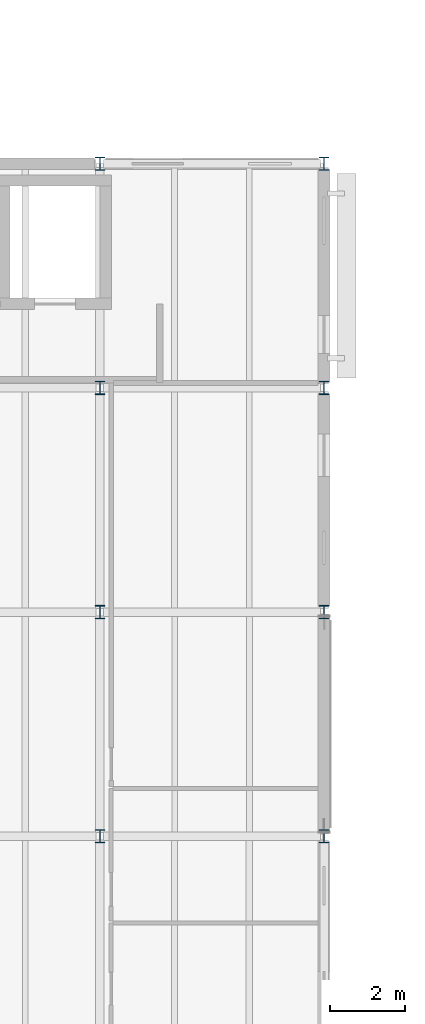
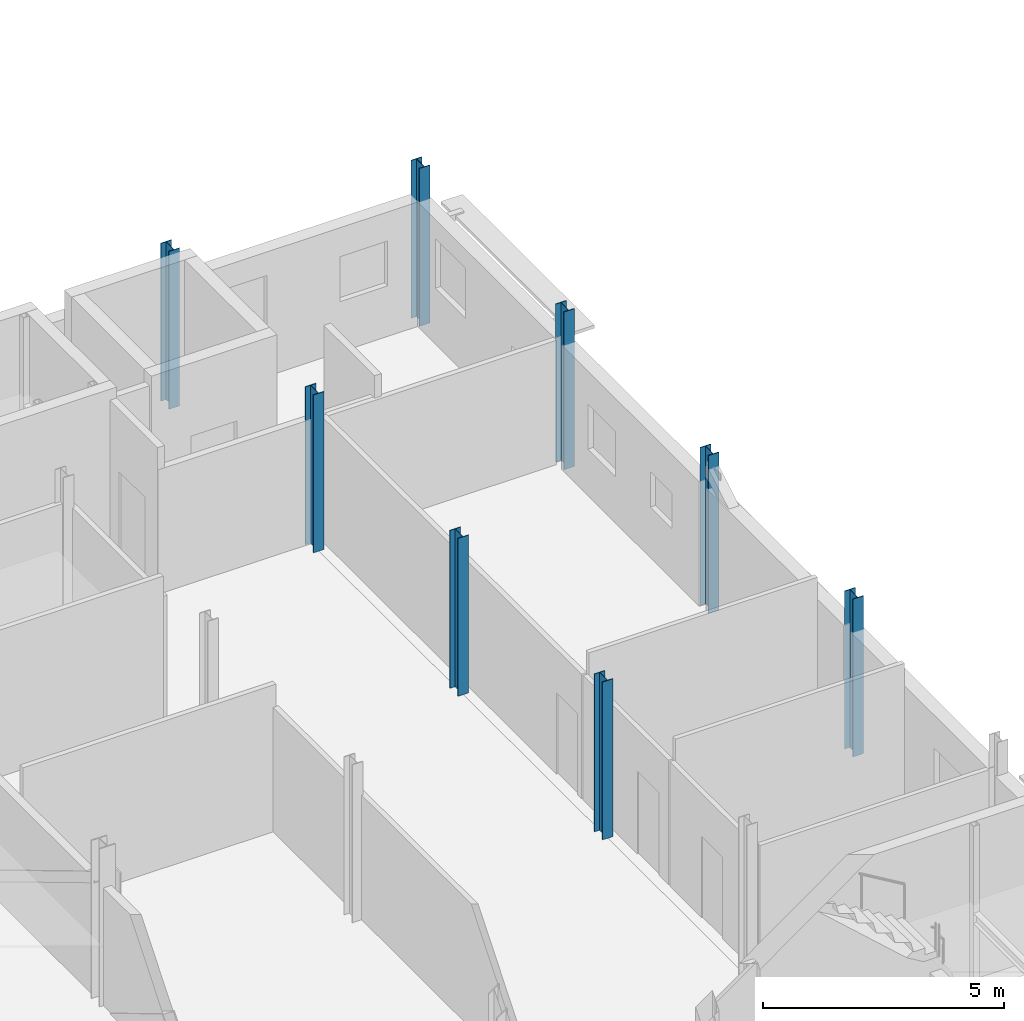
# One storey, part 9 of 92: 8 columns.
"""IFC4 building model written with IfcOpenShell, lengths in metres."""

from ifc_helpers import new_model, si_unit, direction, frame, origin, origin_2d, place, context, subcontext, project, spatial, i_section, extrude, material, material_profile, profile_set, type_object, element, save


model = new_model("IFC4")

# Units and contexts
model_context = context("Model", 3, precision=1e-05, world=origin(), true_north=direction((0.0, 1.0)))
body_context = subcontext(model_context, "Body", "Model", "MODEL_VIEW")
ifc_project = project(units=[si_unit("LENGTHUNIT", "METRE"), si_unit("AREAUNIT", "SQUARE_METRE"), si_unit("VOLUMEUNIT", "CUBIC_METRE"), si_unit("PLANEANGLEUNIT", "RADIAN"), si_unit("MASSUNIT", "GRAM", prefix="KILO")], contexts=[model_context])

# Site, building, storey
site_placement = place(None, origin())
site = spatial("IfcSite", under=ifc_project, at=site_placement, CompositionType="ELEMENT")
building_placement = place(site_placement, origin())
building = spatial("IfcBuilding", under=site, at=building_placement, Name="Siltcreek Boulevard Central Fire Station", CompositionType="ELEMENT")
storey_placement = place(building_placement, frame((0.0, 0.0, 6.0)))
storey = spatial("IfcBuildingStorey", under=building, at=storey_placement, Name="L02", CompositionType="ELEMENT", Elevation=6.0)

# Columns
ifc_material = material(Name="Structural steel ASTM A992 Gr50", Category="steel")
ifc_material_profile = material_profile(ifc_material, i_section(OverallWidth=0.25390625, OverallDepth=0.35302734375, WebThickness=0.009521484375, FlangeThickness=0.016357421875, at=origin_2d()), Name="W360X91")
ifc_profile_set = profile_set([ifc_material_profile], Name="Structural steel ASTM A992 Gr50")
column_type = type_object("IfcColumnType", Name="COL_W360X91", PredefinedType="COLUMN", material=ifc_profile_set)
for number, where, z_axis, x_axis, name in (
    (1, (102.0, 36.0, 0.0), (0.0, 0.0, 1.0), (1.0, 0.0, 0.0), "L02 structural column COLG-L02-1020-360"),
    (2, (102.0, 42.0, 0.0), (0.0, 0.0, 1.0), (1.0, 0.0, 0.0), "L02 structural column COLG-L02-1020-420"),
    (3, (102.0, 48.0, 0.0), (0.0, 0.0, 1.0), (1.0, 0.0, 0.0), "L02 structural column COLG-L02-1020-480"),
    (4, (102.0, 54.0, 0.0), (0.0, 0.0, 1.0), (1.0, 0.0, 0.0), "L02 structural column COLG-L02-1020-540"),
    (5, (108.0, 36.0, 0.0), (0.0, 0.0, 1.0), (1.0, 0.0, 0.0), "L02 structural column COLG-L02-1080-360"),
    (6, (108.0, 42.0, 0.0), (0.0, 0.0, 1.0), (1.0, 0.0, 0.0), "L02 structural column COLG-L02-1080-420"),
    (7, (108.0, 48.0, 0.0), (0.0, 0.0, 1.0), (1.0, 0.0, 0.0), "L02 structural column COLG-L02-1080-480"),
    (8, (108.0, 54.0, 0.0), (0.0, 0.0, 1.0), (1.0, 0.0, 0.0), "L02 structural column COLG-L02-1080-540"),
):
    element("IfcColumn", number, at=place(storey_placement, frame(where, z_axis=z_axis, x_axis=x_axis)), inside=storey, type_object=column_type, Name=name, PredefinedType="COLUMN", context=body_context, shape_type="SweptSolid", body=[
        extrude(i_section(OverallWidth=0.25390625, OverallDepth=0.35302734375, WebThickness=0.009521484375, FlangeThickness=0.016357421875, at=origin_2d()), origin(), (0.0, 0.0, 1.0), 4.0),
    ])

save(model, "model.ifc")
